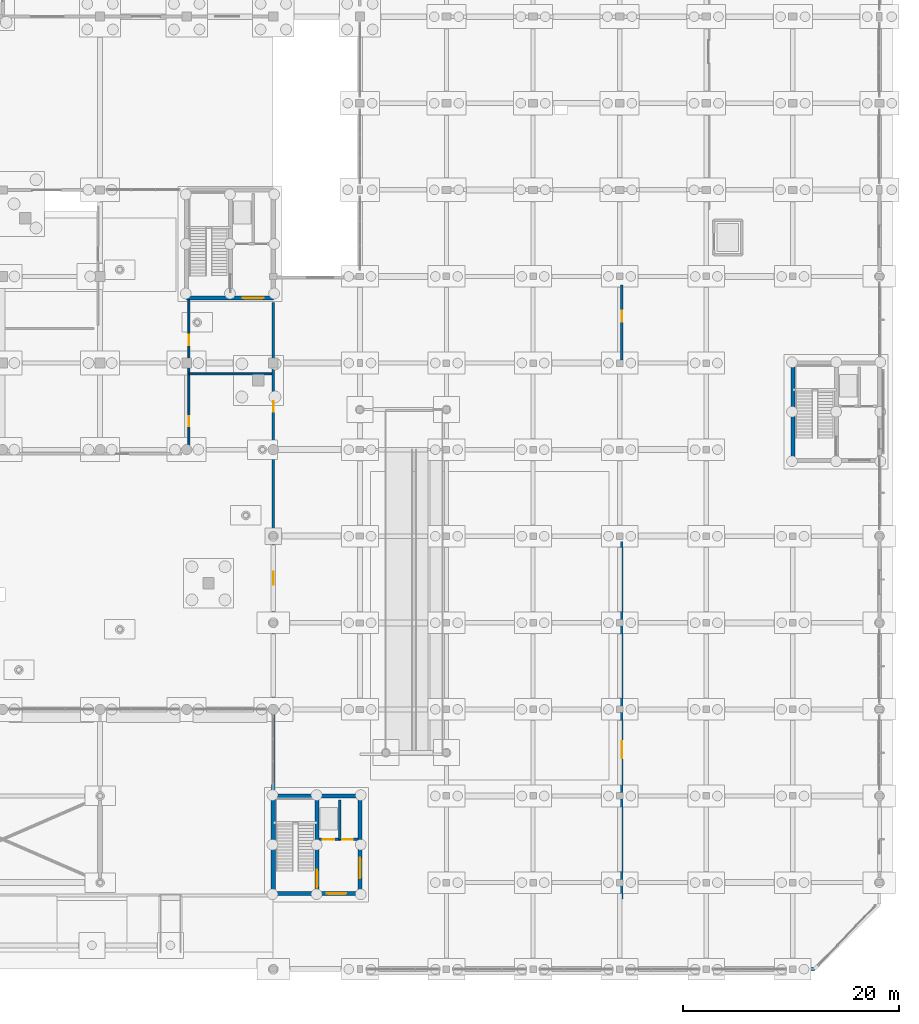
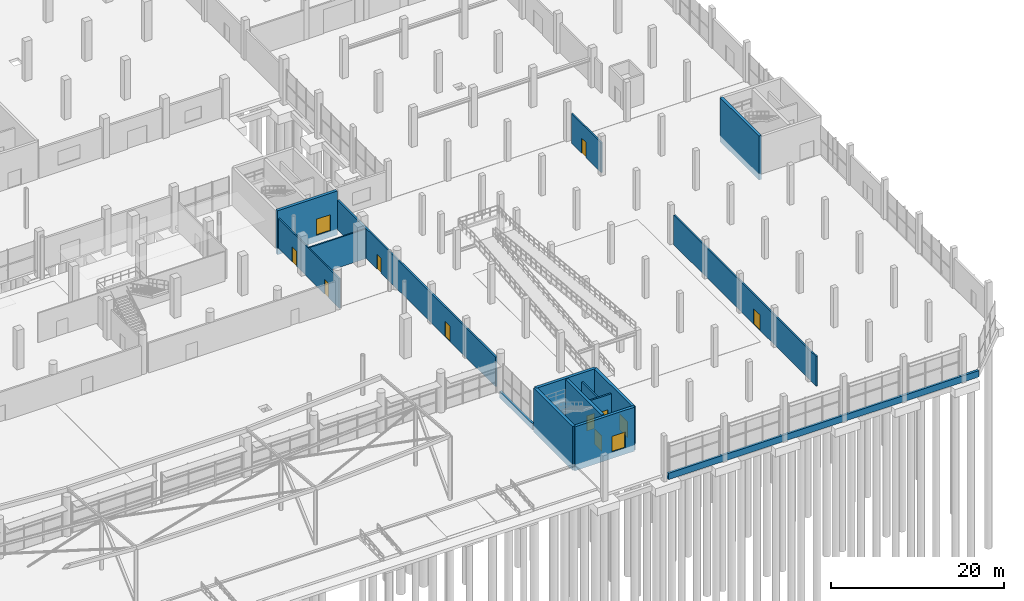
# One storey, part 78 of 98: 16 walls, 12 doors, 12 openings.
"""IFC4 building model written with IfcOpenShell, lengths in metres."""

from ifc_helpers import new_model, si_unit, derived_unit, direction, frame, frame_2d, origin, place, context, subcontext, project, spatial, rectangle, extrude, material, layer, layer_set, type_object, element, fill, save


model = new_model("IFC4")

# Units and contexts
model_context = context("Model", 3, precision=1e-05, world=origin(), true_north=direction((0.0, 1.0)))
body_context = subcontext(model_context, "Body", "Model", "MODEL_VIEW")
ifc_project = project(units=[si_unit("LENGTHUNIT", "METRE"), si_unit("AREAUNIT", "SQUARE_METRE"), si_unit("VOLUMEUNIT", "CUBIC_METRE"), si_unit("PLANEANGLEUNIT", "RADIAN"), si_unit("MASSUNIT", "GRAM", prefix="KILO"), si_unit("THERMODYNAMICTEMPERATUREUNIT", "KELVIN"), derived_unit("THERMALTRANSMITTANCEUNIT", [(si_unit("POWERUNIT", "WATT"), 1), (si_unit("AREAUNIT", "SQUARE_METRE"), -1), (si_unit("THERMODYNAMICTEMPERATUREUNIT", "KELVIN"), -1)])], contexts=[model_context])

# Site, building, storey
site_placement = place(None, origin())
site = spatial("IfcSite", under=ifc_project, at=site_placement, CompositionType="ELEMENT")
building_placement = place(site_placement, origin())
building = spatial("IfcBuilding", under=site, at=building_placement, Name="Haiyu Intermodal Mobility Hub", CompositionType="ELEMENT")
storey_placement = place(building_placement, origin())
storey = spatial("IfcBuildingStorey", under=building, at=storey_placement, Name="L00", CompositionType="ELEMENT", Elevation=0.0)

# Walls
ifc_material_1 = material(Name="Precast concrete C40", Category="concrete")
ifc_layer_1 = layer(ifc_material_1, 0.300048828125)
ifc_layer_set_1 = layer_set([ifc_layer_1], Name="Precast concrete C40")
wall_type_1 = type_object("IfcWallType", Name="WAL-WE01", PredefinedType="STANDARD", material=ifc_layer_set_1)
wall_1_placement = place(storey_placement, frame((162.5, 16.0, -0.89990234375), z_axis=(0.0, 0.0, 1.0), x_axis=(1.0, 0.0, 0.0)))
element("IfcWall", 1, at=wall_1_placement, inside=storey, type_object=wall_type_1, Name="Flood Plinth Retaining Wall PLN-S2", PredefinedType="STANDARD", context=body_context, shape_type="SweptSolid", body=[
    extrude(rectangle(XDim=41.5, YDim=0.300048828125, at=frame_2d((20.75, 0.0))), origin(), (0.0, 0.0, 1.0), 0.89990234375),
])
wall_2_placement = place(storey_placement, frame((154.0, 32.39990234375, -0.89990234375), z_axis=(0.0, 0.0, 1.0), x_axis=(0.0, 1.0, 0.0)))
element("IfcWall", 2, at=wall_2_placement, inside=storey, type_object=wall_type_1, Name="Flood Plinth Retaining Wall PLN-W2", PredefinedType="STANDARD", context=body_context, shape_type="SweptSolid", body=[
    extrude(rectangle(XDim=7.60009765625, YDim=0.300048828125, at=frame_2d((3.800048828125, 0.0))), origin(), (0.0, 0.0, 1.0), 0.89990234375),
])
ifc_material_2 = material(Name="Autoclaved aerated concrete block A5.0", Category="concrete")
ifc_layer_2 = layer(ifc_material_2, 0.22998046875)
ifc_layer_set_2 = layer_set([ifc_layer_2], Name="Autoclaved aerated concrete block A5.0")
wall_type_2 = type_object("IfcWallType", Name="WAL-WI01", PredefinedType="PARTITIONING", material=ifc_layer_set_2)
wall_3_placement = place(storey_placement, frame((160.1298828125, 28.0, 0.0), z_axis=(0.0, 0.0, 1.0), x_axis=(0.0, 1.0, 0.0)))
element("IfcWall", 3, at=wall_3_placement, inside=storey, type_object=wall_type_2, Name="WAL-CORE-C8-LSH-L00", PredefinedType="PARTITIONING", context=body_context, shape_type="SweptSolid", body=[
    extrude(rectangle(XDim=3.64990234375, YDim=0.22998046875, at=frame_2d((1.824951171875, 0.0))), origin(), (0.0, 0.0, 1.0), 4.199951171875),
])

# Wall, openings, doors
wall_4_placement = place(storey_placement, frame((158.2099609375, 28.0, 0.0), z_axis=(0.0, 0.0, 1.0), x_axis=(1.0, 0.0, 0.0)))
wall_4 = element("IfcWall", 4, at=wall_4_placement, inside=storey, type_object=wall_type_2, Name="WAL-CORE-C8-LFT-L00", PredefinedType="PARTITIONING", context=body_context, shape_type="SweptSolid", body=[
    extrude(rectangle(XDim=3.630126953125, YDim=0.22998046875, at=frame_2d((1.81494140625, 0.0))), origin(), (0.0, 0.0, 1.0), 4.199951171875),
])
opening_1_placement = place(wall_4_placement, frame((0.3798828125, 0.0, 0.0)))
opening_1 = element("IfcOpeningElement", 5, at=opening_1_placement, cuts=wall_4, Name="Opening LD02", PredefinedType="OPENING", context=body_context, shape_type="SweptSolid", body=[
    extrude(rectangle(XDim=1.050048828125, YDim=2.14990234375, at=frame_2d((0.52490234375, 1.074951171875))), frame((0.0, 0.125, 0.0), z_axis=(0.0, -1.0, 0.0), x_axis=(1.0, 0.0, 0.0)), (0.0, 0.0, 1.0), 0.25),
])
opening_2_placement = place(wall_4_placement, frame((2.179931640625, 0.0, 0.0)))
opening_2 = element("IfcOpeningElement", 6, at=opening_2_placement, cuts=wall_4, Name="Opening DI07", PredefinedType="OPENING", context=body_context, shape_type="SweptSolid", body=[
    extrude(rectangle(XDim=0.949951171875, YDim=2.10009765625, at=frame_2d((0.47509765625, 1.050048828125))), frame((0.0, 0.125, 0.0), z_axis=(0.0, -1.0, 0.0), x_axis=(1.0, 0.0, 0.0)), (0.0, 0.0, 1.0), 0.25),
])
ifc_material_3 = material(Name="Steel Q355C", Category="steel")
door_type_1 = type_object("IfcDoorType", Name="DR-DI07", OperationType="NOTDEFINED", PredefinedType="DOOR", material=ifc_material_3)
door_1_placement = place(opening_2_placement, origin())
door_1 = element("IfcDoor", 7, at=door_1_placement, inside=storey, type_object=door_type_1, Name="Core C8 Accessible WC Door L00", OperationType="SINGLE_SWING_RIGHT", OverallHeight=2.10009765625, OverallWidth=0.949951171875, PredefinedType="DOOR", context=body_context, shape_type="SweptSolid", body=[
    extrude(rectangle(XDim=0.949951171875, YDim=2.10009765625, at=frame_2d((0.47509765625, 1.050048828125))), frame((0.0, 0.02490234375, 0.0), z_axis=(0.0, -1.0, 0.0), x_axis=(1.0, 0.0, 0.0)), (0.0, 0.0, 1.0), 0.050048828125),
])
fill(opening_2, door_1)
door_type_2 = type_object("IfcDoorType", Name="DR-LD02", OperationType="DOUBLE_DOOR_SLIDING", PredefinedType="DOOR", material=ifc_material_3)
door_2_placement = place(opening_1_placement, origin())
door_2 = element("IfcDoor", 8, at=door_2_placement, inside=storey, type_object=door_type_2, Name="Lift PL-03 Sliding Landing Door L00", OperationType="SLIDING_TO_LEFT", OverallHeight=2.14990234375, OverallWidth=1.050048828125, PredefinedType="DOOR", context=body_context, shape_type="SweptSolid", body=[
    extrude(rectangle(XDim=1.050048828125, YDim=2.14990234375, at=frame_2d((0.52490234375, 1.074951171875))), frame((0.0, 0.02490234375, 0.0), z_axis=(0.0, -1.0, 0.0), x_axis=(1.0, 0.0, 0.0)), (0.0, 0.0, 1.0), 0.050048828125),
])
fill(opening_1, door_2)

wall_5_placement = place(storey_placement, frame((154.0, 41.0, 0.0), z_axis=(0.0, 0.0, 1.0), x_axis=(0.0, 1.0, 0.0)))
wall_5 = element("IfcWall", 9, at=wall_5_placement, inside=storey, type_object=wall_type_2, Name="WAL-INT-0009", PredefinedType="PARTITIONING", context=body_context, shape_type="SweptSolid", body=[
    extrude(rectangle(XDim=36.60009765625, YDim=0.22998046875, at=frame_2d((18.300048828125, 0.0))), origin(), (0.0, 0.0, 1.0), 4.199951171875),
])
opening_3_placement = place(wall_5_placement, frame((10.5, 0.0, 0.0)))
opening_3 = element("IfcOpeningElement", 10, at=opening_3_placement, cuts=wall_5, Name="Opening DI03", PredefinedType="OPENING", context=body_context, shape_type="SweptSolid", body=[
    extrude(rectangle(XDim=1.199951171875, YDim=2.199951171875, at=frame_2d((0.60009765625, 1.10009765625))), frame((0.0, 0.125, 0.0), z_axis=(0.0, -1.0, 0.0), x_axis=(1.0, 0.0, 0.0)), (0.0, 0.0, 1.0), 0.25),
])
opening_4_placement = place(wall_5_placement, frame((26.5, 0.0, 0.0)))
opening_4 = element("IfcOpeningElement", 11, at=opening_4_placement, cuts=wall_5, Name="Opening DI17", PredefinedType="OPENING", context=body_context, shape_type="SweptSolid", body=[
    extrude(rectangle(XDim=0.97998046875, YDim=2.10009765625, at=frame_2d((0.489990234375, 1.050048828125))), frame((0.0, 0.125, 0.0), z_axis=(0.0, -1.0, 0.0), x_axis=(1.0, 0.0, 0.0)), (0.0, 0.0, 1.0), 0.25),
])
door_type_3 = type_object("IfcDoorType", Name="DR-DI03", OperationType="NOTDEFINED", PredefinedType="DOOR", material=ifc_material_3)
door_3_placement = place(opening_3_placement, origin())
door_3 = element("IfcDoor", 12, at=door_3_placement, inside=storey, type_object=door_type_3, Name="Concourse-Bicycle Fire Door L00-A", OperationType="DOUBLE_SWING_LEFT", OverallHeight=2.199951171875, OverallWidth=1.199951171875, PredefinedType="DOOR", context=body_context, shape_type="SweptSolid", body=[
    extrude(rectangle(XDim=1.199951171875, YDim=2.199951171875, at=frame_2d((0.60009765625, 1.10009765625))), frame((0.0, 0.02490234375, 0.0), z_axis=(0.0, -1.0, 0.0), x_axis=(1.0, 0.0, 0.0)), (0.0, 0.0, 1.0), 0.050048828125),
])
fill(opening_3, door_3)
ifc_material_4 = material(Name="Anodised aluminium 6063-T6", Category="aluminium")
door_type_4 = type_object("IfcDoorType", Name="DR-DI17", OperationType="NOTDEFINED", PredefinedType="DOOR", material=ifc_material_4)
door_4_placement = place(opening_4_placement, origin())
door_4 = element("IfcDoor", 13, at=door_4_placement, inside=storey, type_object=door_type_4, Name="Concourse-Bicycle Fire Door L00-B", OperationType="DOUBLE_SWING_RIGHT", OverallHeight=2.10009765625, OverallWidth=0.97998046875, PredefinedType="DOOR", context=body_context, shape_type="SweptSolid", body=[
    extrude(rectangle(XDim=0.97998046875, YDim=2.10009765625, at=frame_2d((0.489990234375, 1.050048828125))), frame((0.0, 0.02490234375, 0.0), z_axis=(0.0, -1.0, 0.0), x_axis=(1.0, 0.0, 0.0)), (0.0, 0.0, 1.0), 0.050048828125),
])
fill(opening_4, door_4)

# Wall, opening, door
ifc_layer_3 = layer(ifc_material_2, 0.199951171875)
ifc_layer_set_3 = layer_set([ifc_layer_3], Name="Autoclaved aerated concrete block A5.0")
wall_type_3 = type_object("IfcWallType", Name="WAL-WI02", PredefinedType="PARTITIONING", material=ifc_layer_set_3)
wall_6_placement = place(storey_placement, frame((186.199951171875, 22.5, 0.0), z_axis=(0.0, 0.0, 1.0), x_axis=(0.0, 1.0, 0.0)))
wall_6 = element("IfcWall", 14, at=wall_6_placement, inside=storey, type_object=wall_type_3, Name="WAL-INT-0024", PredefinedType="PARTITIONING", context=body_context, shape_type="SweptSolid", body=[
    extrude(rectangle(XDim=33.0, YDim=0.199951171875, at=frame_2d((16.5, 0.0))), origin(), (0.0, 0.0, 1.0), 4.199951171875),
])
opening_5_placement = place(wall_6_placement, frame((13.0, 0.0, 0.0)))
opening_5 = element("IfcOpeningElement", 15, at=opening_5_placement, cuts=wall_6, Name="Opening DI04", PredefinedType="OPENING", context=body_context, shape_type="SweptSolid", body=[
    extrude(rectangle(XDim=1.550048828125, YDim=2.199951171875, at=frame_2d((0.77490234375, 1.10009765625))), frame((0.0, 0.10986328125, 0.0), z_axis=(0.0, -1.0, 0.0), x_axis=(1.0, 0.0, 0.0)), (0.0, 0.0, 1.0), 0.219970703125),
])
door_type_5 = type_object("IfcDoorType", Name="DR-DI04", OperationType="DOUBLE_DOOR_SINGLE_SWING", PredefinedType="DOOR", material=ifc_material_3)
door_5_placement = place(opening_5_placement, origin())
door_5 = element("IfcDoor", 16, at=door_5_placement, inside=storey, type_object=door_type_5, Name="Bicycle Repair Shop Door", OperationType="DOUBLE_SWING_LEFT", OverallHeight=2.199951171875, OverallWidth=1.550048828125, PredefinedType="DOOR", context=body_context, shape_type="SweptSolid", body=[
    extrude(rectangle(XDim=1.550048828125, YDim=2.199951171875, at=frame_2d((0.77490234375, 1.10009765625))), frame((0.0, 0.02490234375, 0.0), z_axis=(0.0, -1.0, 0.0), x_axis=(1.0, 0.0, 0.0)), (0.0, 0.0, 1.0), 0.050048828125),
])
fill(opening_5, door_5)

wall_7_placement = place(storey_placement, frame((186.199951171875, 72.300048828125, 0.0), z_axis=(0.0, 0.0, 1.0), x_axis=(0.0, 1.0, 0.0)))
wall_7 = element("IfcWall", 17, at=wall_7_placement, inside=storey, type_object=wall_type_3, Name="WAL-INT-0025", PredefinedType="PARTITIONING", context=body_context, shape_type="SweptSolid", body=[
    extrude(rectangle(XDim=6.89990234375, YDim=0.199951171875, at=frame_2d((3.449951171875, 0.0))), origin(), (0.0, 0.0, 1.0), 4.199951171875),
])
opening_6_placement = place(wall_7_placement, frame((3.5, 0.0, 0.0)))
opening_6 = element("IfcOpeningElement", 18, at=opening_6_placement, cuts=wall_7, Name="Opening DI06", PredefinedType="OPENING", context=body_context, shape_type="SweptSolid", body=[
    extrude(rectangle(XDim=1.050048828125, YDim=2.14990234375, at=frame_2d((0.52490234375, 1.074951171875))), frame((0.0, 0.10986328125, 0.0), z_axis=(0.0, -1.0, 0.0), x_axis=(1.0, 0.0, 0.0)), (0.0, 0.0, 1.0), 0.219970703125),
])
door_type_6 = type_object("IfcDoorType", Name="DR-DI06", OperationType="NOTDEFINED", PredefinedType="DOOR", material=ifc_material_3)
door_6_placement = place(opening_6_placement, origin())
door_6 = element("IfcDoor", 19, at=door_6_placement, inside=storey, type_object=door_type_6, Name="E-Bike Battery Store Door", OperationType="SINGLE_SWING_RIGHT", OverallHeight=2.14990234375, OverallWidth=1.050048828125, PredefinedType="DOOR", context=body_context, shape_type="SweptSolid", body=[
    extrude(rectangle(XDim=1.050048828125, YDim=2.14990234375, at=frame_2d((0.52490234375, 1.074951171875))), frame((0.0, 0.02490234375, 0.0), z_axis=(0.0, -1.0, 0.0), x_axis=(1.0, 0.0, 0.0)), (0.0, 0.0, 1.0), 0.050048828125),
])
fill(opening_6, door_6)

# Wall, openings, doors
ifc_layer_4 = layer(ifc_material_2, 0.179931640625)
ifc_layer_set_4 = layer_set([ifc_layer_4], Name="Autoclaved aerated concrete block A5.0")
wall_type_4 = type_object("IfcWallType", Name="WAL-WI03", PredefinedType="PARTITIONING", material=ifc_layer_set_4)
wall_8_placement = place(storey_placement, frame((146.199951171875, 63.75, 0.0), z_axis=(0.0, 0.0, 1.0), x_axis=(0.0, 1.0, 0.0)))
wall_8 = element("IfcWall", 20, at=wall_8_placement, inside=storey, type_object=wall_type_4, Name="WAL-INT-0007", PredefinedType="PARTITIONING", context=body_context, shape_type="SweptSolid", body=[
    extrude(rectangle(XDim=14.10009765625, YDim=0.179931640625, at=frame_2d((7.050048828125, 0.0))), origin(), (0.0, 0.0, 1.0), 4.199951171875),
])
opening_7_placement = place(wall_8_placement, frame((2.39990234375, 0.0, 0.0)))
opening_7 = element("IfcOpeningElement", 21, at=opening_7_placement, cuts=wall_8, Name="Opening DI07", PredefinedType="OPENING", context=body_context, shape_type="SweptSolid", body=[
    extrude(rectangle(XDim=0.949951171875, YDim=2.10009765625, at=frame_2d((0.47509765625, 1.050048828125))), frame((0.0, 0.10009765625, 0.0), z_axis=(0.0, -1.0, 0.0), x_axis=(1.0, 0.0, 0.0)), (0.0, 0.0, 1.0), 0.199951171875),
])
opening_8_placement = place(wall_8_placement, frame((9.89990234375, 0.0, 0.0)))
opening_8 = element("IfcOpeningElement", 22, at=opening_8_placement, cuts=wall_8, Name="Opening DI07", PredefinedType="OPENING", context=body_context, shape_type="SweptSolid", body=[
    extrude(rectangle(XDim=0.949951171875, YDim=2.10009765625, at=frame_2d((0.47509765625, 1.050048828125))), frame((0.0, 0.10009765625, 0.0), z_axis=(0.0, -1.0, 0.0), x_axis=(1.0, 0.0, 0.0)), (0.0, 0.0, 1.0), 0.199951171875),
])
door_7_placement = place(opening_7_placement, origin())
door_7 = element("IfcDoor", 23, at=door_7_placement, inside=storey, type_object=door_type_1, Name="Public Female WC Door", OperationType="SINGLE_SWING_LEFT", OverallHeight=2.10009765625, OverallWidth=0.949951171875, PredefinedType="DOOR", context=body_context, shape_type="SweptSolid", body=[
    extrude(rectangle(XDim=0.949951171875, YDim=2.10009765625, at=frame_2d((0.47509765625, 1.050048828125))), frame((0.0, 0.02490234375, 0.0), z_axis=(0.0, -1.0, 0.0), x_axis=(1.0, 0.0, 0.0)), (0.0, 0.0, 1.0), 0.050048828125),
])
fill(opening_7, door_7)
door_8_placement = place(opening_8_placement, origin())
door_8 = element("IfcDoor", 24, at=door_8_placement, inside=storey, type_object=door_type_1, Name="Public Male WC Door", OperationType="SINGLE_SWING_RIGHT", OverallHeight=2.10009765625, OverallWidth=0.949951171875, PredefinedType="DOOR", context=body_context, shape_type="SweptSolid", body=[
    extrude(rectangle(XDim=0.949951171875, YDim=2.10009765625, at=frame_2d((0.47509765625, 1.050048828125))), frame((0.0, 0.02490234375, 0.0), z_axis=(0.0, -1.0, 0.0), x_axis=(1.0, 0.0, 0.0)), (0.0, 0.0, 1.0), 0.050048828125),
])
fill(opening_8, door_8)

# Wall
wall_9_placement = place(storey_placement, frame((146.25, 71.0, 0.0), z_axis=(0.0, 0.0, 1.0), x_axis=(1.0, 0.0, 0.0)))
element("IfcWall", 25, at=wall_9_placement, inside=storey, type_object=wall_type_4, Name="WAL-INT-0008", PredefinedType="PARTITIONING", context=body_context, shape_type="SweptSolid", body=[
    extrude(rectangle(XDim=7.60009765625, YDim=0.179931640625, at=frame_2d((3.800048828125, 0.0))), origin(), (0.0, 0.0, 1.0), 4.199951171875),
])

# Wall, opening, door
ifc_material_5 = material(Name="Concrete C40", Category="concrete")
ifc_layer_5 = layer(ifc_material_5, 0.3798828125)
ifc_layer_set_5 = layer_set([ifc_layer_5], Name="Concrete C40")
wall_type_5 = type_object("IfcWallType", Name="WAL-WS03", PredefinedType="SHEAR", material=ifc_layer_set_5)
wall_10_placement = place(storey_placement, frame((146.0, 78.0, -0.89990234375), z_axis=(0.0, 0.0, 1.0), x_axis=(1.0, 0.0, 0.0)))
wall_10 = element("IfcWall", 26, at=wall_10_placement, inside=storey, type_object=wall_type_5, Name="WAL-CORE-C2-S-L00", PredefinedType="SHEAR", context=body_context, shape_type="SweptSolid", body=[
    extrude(rectangle(XDim=8.0, YDim=0.3798828125, at=frame_2d((4.0, 0.0))), origin(), (0.0, 0.0, 1.0), 6.219970703125),
])
opening_9_placement = place(wall_10_placement, frame((5.199951171875, 0.0, 0.89990234375)))
opening_9 = element("IfcOpeningElement", 27, at=opening_9_placement, cuts=wall_10, Name="Opening DI01", PredefinedType="OPENING", context=body_context, shape_type="SweptSolid", body=[
    extrude(rectangle(XDim=1.89990234375, YDim=2.300048828125, at=frame_2d((0.949951171875, 1.14990234375))), frame((0.0, 0.199951171875, 0.0), z_axis=(0.0, -1.0, 0.0), x_axis=(1.0, 0.0, 0.0)), (0.0, 0.0, 1.0), 0.39990234375),
])
door_type_7 = type_object("IfcDoorType", Name="DR-DI01", OperationType="DOUBLE_DOOR_SINGLE_SWING", PredefinedType="DOOR", material=ifc_material_3)
door_9_placement = place(opening_9_placement, origin())
door_9 = element("IfcDoor", 28, at=door_9_placement, inside=storey, type_object=door_type_7, Name="Core C2 Lobby Fire Door L00", OperationType="SINGLE_SWING_RIGHT", OverallHeight=2.300048828125, OverallWidth=1.89990234375, PredefinedType="DOOR", context=body_context, shape_type="SweptSolid", body=[
    extrude(rectangle(XDim=1.89990234375, YDim=2.300048828125, at=frame_2d((0.949951171875, 1.14990234375))), frame((0.0, 0.02490234375, 0.0), z_axis=(0.0, -1.0, 0.0), x_axis=(1.0, 0.0, 0.0)), (0.0, 0.0, 1.0), 0.050048828125),
])
fill(opening_9, door_9)

wall_11_placement = place(storey_placement, frame((154.0, 23.0, -0.89990234375), z_axis=(0.0, 0.0, 1.0), x_axis=(1.0, 0.0, 0.0)))
wall_11 = element("IfcWall", 29, at=wall_11_placement, inside=storey, type_object=wall_type_5, Name="WAL-CORE-C8-S-L00", PredefinedType="SHEAR", context=body_context, shape_type="SweptSolid", body=[
    extrude(rectangle(XDim=8.0, YDim=0.3798828125, at=frame_2d((4.0, 0.0))), origin(), (0.0, 0.0, 1.0), 6.219970703125),
])
opening_10_placement = place(wall_11_placement, frame((4.949951171875, 0.0, 0.89990234375)))
opening_10 = element("IfcOpeningElement", 30, at=opening_10_placement, cuts=wall_11, Name="Opening DE04", PredefinedType="OPENING", context=body_context, shape_type="SweptSolid", body=[
    extrude(rectangle(XDim=1.800048828125, YDim=2.25, at=frame_2d((0.89990234375, 1.125))), frame((0.0, 0.199951171875, 0.0), z_axis=(0.0, -1.0, 0.0), x_axis=(1.0, 0.0, 0.0)), (0.0, 0.0, 1.0), 0.39990234375),
])
door_type_8 = type_object("IfcDoorType", Name="DR-DE04", OperationType="DOUBLE_DOOR_SINGLE_SWING", PredefinedType="DOOR", material=ifc_material_3)
door_10_placement = place(opening_10_placement, origin())
door_10 = element("IfcDoor", 31, at=door_10_placement, inside=storey, type_object=door_type_8, Name="Core C8 Final Exterior Exit Door L00", OperationType="DOUBLE_SWING_LEFT", OverallHeight=2.25, OverallWidth=1.800048828125, PredefinedType="DOOR", context=body_context, shape_type="SweptSolid", body=[
    extrude(rectangle(XDim=1.800048828125, YDim=2.25, at=frame_2d((0.89990234375, 1.125))), frame((0.0, 0.02490234375, 0.0), z_axis=(0.0, -1.0, 0.0), x_axis=(1.0, 0.0, 0.0)), (0.0, 0.0, 1.0), 0.050048828125),
])
fill(opening_10, door_10)

wall_12_placement = place(storey_placement, frame((162.0, 23.0, -0.89990234375), z_axis=(0.0, 0.0, 1.0), x_axis=(0.0, 1.0, 0.0)))
wall_12 = element("IfcWall", 32, at=wall_12_placement, inside=storey, type_object=wall_type_5, Name="WAL-CORE-C8-E-L00", PredefinedType="SHEAR", context=body_context, shape_type="SweptSolid", body=[
    extrude(rectangle(XDim=9.0, YDim=0.3798828125, at=frame_2d((4.5, 0.0))), origin(), (0.0, 0.0, 1.0), 6.219970703125),
])
opening_11_placement = place(wall_12_placement, frame((1.39990234375, 0.0, 0.89990234375)))
opening_11 = element("IfcOpeningElement", 33, at=opening_11_placement, cuts=wall_12, Name="Opening DI01", PredefinedType="OPENING", context=body_context, shape_type="SweptSolid", body=[
    extrude(rectangle(XDim=1.89990234375, YDim=2.300048828125, at=frame_2d((0.949951171875, 1.14990234375))), frame((0.0, 0.199951171875, 0.0), z_axis=(0.0, -1.0, 0.0), x_axis=(1.0, 0.0, 0.0)), (0.0, 0.0, 1.0), 0.39990234375),
])
door_11_placement = place(opening_11_placement, origin())
door_11 = element("IfcDoor", 34, at=door_11_placement, inside=storey, type_object=door_type_7, Name="Core C8 Lobby Fire Door L00", OperationType="SINGLE_SWING_RIGHT", OverallHeight=2.300048828125, OverallWidth=1.89990234375, PredefinedType="DOOR", context=body_context, shape_type="SweptSolid", body=[
    extrude(rectangle(XDim=1.89990234375, YDim=2.300048828125, at=frame_2d((0.949951171875, 1.14990234375))), frame((0.0, 0.02490234375, 0.0), z_axis=(0.0, -1.0, 0.0), x_axis=(1.0, 0.0, 0.0)), (0.0, 0.0, 1.0), 0.050048828125),
])
fill(opening_11, door_11)

# Walls
wall_13_placement = place(storey_placement, frame((162.0, 32.0, -0.89990234375), z_axis=(0.0, 0.0, 1.0), x_axis=(-1.0, 0.0, 0.0)))
element("IfcWall", 35, at=wall_13_placement, inside=storey, type_object=wall_type_5, Name="WAL-CORE-C8-N-L00", PredefinedType="SHEAR", context=body_context, shape_type="SweptSolid", body=[
    extrude(rectangle(XDim=8.0, YDim=0.3798828125, at=frame_2d((4.0, 0.0))), origin(), (0.0, 0.0, 1.0), 6.219970703125),
])
wall_14_placement = place(storey_placement, frame((154.0, 32.0, -0.89990234375), z_axis=(0.0, 0.0, 1.0), x_axis=(0.0, -1.0, 0.0)))
element("IfcWall", 36, at=wall_14_placement, inside=storey, type_object=wall_type_5, Name="WAL-CORE-C8-W-L00", PredefinedType="SHEAR", context=body_context, shape_type="SweptSolid", body=[
    extrude(rectangle(XDim=9.0, YDim=0.3798828125, at=frame_2d((4.5, 0.0))), origin(), (0.0, 0.0, 1.0), 6.219970703125),
])

# Wall, opening, door
wall_15_placement = place(storey_placement, frame((158.050048828125, 23.35009765625, -0.89990234375), z_axis=(0.0, 0.0, 1.0), x_axis=(0.0, 1.0, 0.0)))
wall_15 = element("IfcWall", 37, at=wall_15_placement, inside=storey, type_object=wall_type_5, Name="WAL-CORE-C8-MID-L00", PredefinedType="SHEAR", context=body_context, shape_type="SweptSolid", body=[
    extrude(rectangle(XDim=8.2998046875, YDim=0.3798828125, at=frame_2d((4.14990234375, 0.0))), origin(), (0.0, 0.0, 1.0), 6.219970703125),
])
opening_12_placement = place(wall_15_placement, frame((0.179931640625, 0.0, 0.89990234375)))
opening_12 = element("IfcOpeningElement", 38, at=opening_12_placement, cuts=wall_15, Name="Opening DI02", PredefinedType="OPENING", context=body_context, shape_type="SweptSolid", body=[
    extrude(rectangle(XDim=1.64990234375, YDim=2.199951171875, at=frame_2d((0.824951171875, 1.10009765625))), frame((0.0, 0.199951171875, 0.0), z_axis=(0.0, -1.0, 0.0), x_axis=(1.0, 0.0, 0.0)), (0.0, 0.0, 1.0), 0.39990234375),
])
door_type_9 = type_object("IfcDoorType", Name="DR-DI02", OperationType="DOUBLE_DOOR_SINGLE_SWING", PredefinedType="DOOR", material=ifc_material_3)
door_12_placement = place(opening_12_placement, origin())
door_12 = element("IfcDoor", 39, at=door_12_placement, inside=storey, type_object=door_type_9, Name="Stair ST02 Fire Door L00", OperationType="SINGLE_SWING_RIGHT", OverallHeight=2.199951171875, OverallWidth=1.64990234375, PredefinedType="DOOR", context=body_context, shape_type="SweptSolid", body=[
    extrude(rectangle(XDim=1.64990234375, YDim=2.199951171875, at=frame_2d((0.824951171875, 1.10009765625))), frame((0.0, 0.02490234375, 0.0), z_axis=(0.0, -1.0, 0.0), x_axis=(1.0, 0.0, 0.0)), (0.0, 0.0, 1.0), 0.050048828125),
])
fill(opening_12, door_12)

# Wall
wall_16_placement = place(storey_placement, frame((202.0, 72.0, -0.89990234375), z_axis=(0.0, 0.0, 1.0), x_axis=(0.0, -1.0, 0.0)))
element("IfcWall", 40, at=wall_16_placement, inside=storey, type_object=wall_type_5, Name="WAL-CORE-C9-W-L00", PredefinedType="SHEAR", context=body_context, shape_type="SweptSolid", body=[
    extrude(rectangle(XDim=9.0, YDim=0.3798828125, at=frame_2d((4.5, 0.0))), origin(), (0.0, 0.0, 1.0), 6.219970703125),
])

save(model, "model.ifc")
